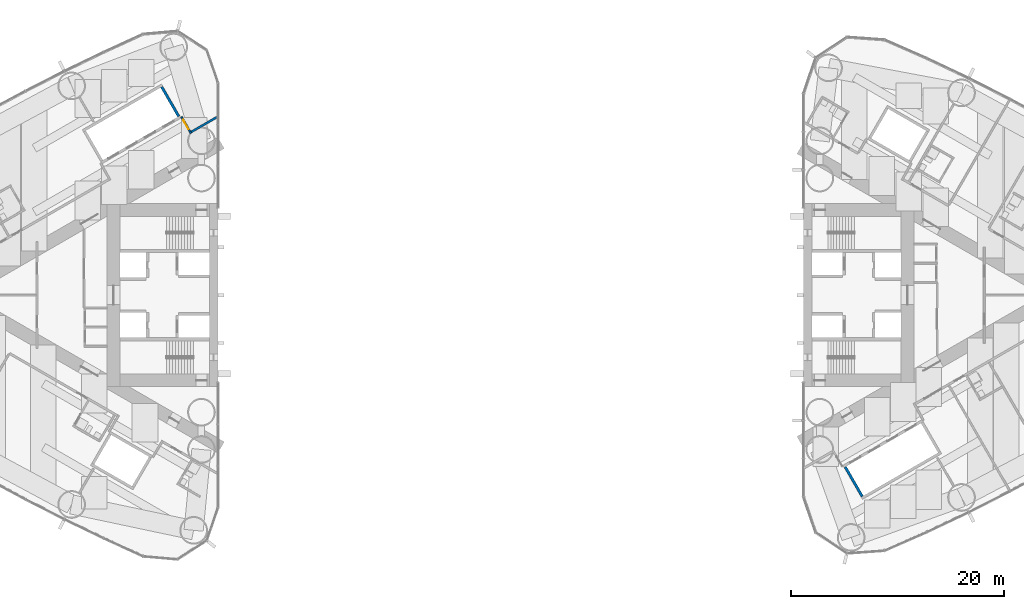
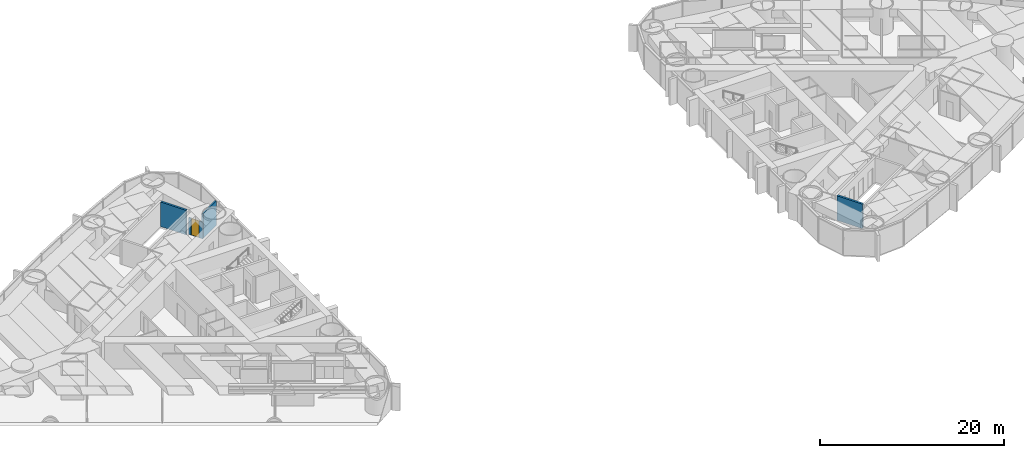
# One storey, part 13 of 19: 4 walls, 1 door, 1 opening.
"""IFC4 building model written with IfcOpenShell, lengths in metres."""

from ifc_helpers import new_model, si_unit, direction, frame, frame_2d, origin, place, context, subcontext, project, spatial, rectangle, extrude, material, layer, layer_set, type_object, element, fill, save


model = new_model("IFC4")

# Units and contexts
model_context = context("Model", 3, precision=1e-05, world=origin(), true_north=direction((0.0, 1.0)))
body_context = subcontext(model_context, "Body", "Model", "MODEL_VIEW")
ifc_project = project(units=[si_unit("LENGTHUNIT", "METRE"), si_unit("AREAUNIT", "SQUARE_METRE"), si_unit("VOLUMEUNIT", "CUBIC_METRE"), si_unit("PLANEANGLEUNIT", "RADIAN"), si_unit("MASSUNIT", "GRAM", prefix="KILO")], contexts=[model_context])

# Site, building, storey
site_placement = place(None, origin())
site = spatial("IfcSite", under=ifc_project, at=site_placement, CompositionType="ELEMENT")
building_placement = place(site_placement, origin())
building = spatial("IfcBuilding", under=site, at=building_placement, Name="Lancet Gate Hotel", CompositionType="ELEMENT")
storey_placement = place(building_placement, frame((0.0, 0.0, 111.60009765625)))
storey = spatial("IfcBuildingStorey", under=building, at=storey_placement, Name="L29", CompositionType="ELEMENT", Elevation=111.60009765625)

# Walls
ifc_material_1 = material(Name="Gypsum board partition")
ifc_layer_1 = layer(ifc_material_1, 0.199951171875)
ifc_layer_set_1 = layer_set([ifc_layer_1], Name="Corridor wall 200")
wall_type_1 = type_object("IfcWallType", Name="Corridor wall 200", PredefinedType="PARTITIONING", material=ifc_layer_set_1)
wall_1_placement = place(storey_placement, frame((-27.572021484375, 16.740966796875, 0.0), z_axis=(0.0, 0.0, 1.0), x_axis=(-0.866034618596, -0.499984039138, 0.0)))
element("IfcWall", 1, at=wall_1_placement, inside=storey, type_object=wall_type_1, Name="T1 corridor wall 200 L29", PredefinedType="PARTITIONING", context=body_context, shape_type="SweptSolid", body=[
    extrude(rectangle(XDim=2.8544921875, YDim=0.199951171875, at=frame_2d((1.42724609375, 0.0))), origin(), (0.0, 0.0, 1.0), 3.25),
])
ifc_material_2 = material(Name="Gypsum board partition")
ifc_layer_2 = layer(ifc_material_2, 0.25)
ifc_layer_set_2 = layer_set([ifc_layer_2], Name="Lift shaft partition 250")
wall_type_2 = type_object("IfcWallType", Name="Lift shaft partition 250", PredefinedType="PARTITIONING", material=ifc_layer_set_2)
for number, where, z_axis, x_axis, name in (
    (2, (-31.18115234375, 16.79296875, 0.0), (0.0, 0.0, 1.0), (-0.499929347863, 0.866066190972, 0.0), "T1 lift shaft wall LR L29"),
    (3, (31.441162109375, -16.14306640625, 0.0), (0.0, 0.0, 1.0), (0.499929347863, -0.866066190972, 0.0), "T2 lift shaft wall LR L29"),
):
    element("IfcWall", number, at=place(storey_placement, frame(where, z_axis=z_axis, x_axis=x_axis)), inside=storey, type_object=wall_type_2, Name=name, PredefinedType="PARTITIONING", context=body_context, shape_type="SweptSolid", body=[
        extrude(rectangle(XDim=3.20068359375, YDim=0.25, at=frame_2d((1.600341796875, 0.0))), origin(), (0.0, 0.0, 1.0), 3.25),
    ])

# Wall, opening, door
ifc_material_3 = material(Name="Gypsum board partition")
ifc_layer_3 = layer(ifc_material_3, 0.14990234375)
ifc_layer_set_3 = layer_set([ifc_layer_3], Name="Service room wall 150")
wall_type_3 = type_object("IfcWallType", Name="Service room wall 150", PredefinedType="PARTITIONING", material=ifc_layer_set_3)
wall_2_placement = place(storey_placement, frame((-30.033203125, 15.20458984375, 0.0), z_axis=(0.0, 0.0, 1.0), x_axis=(-0.499980071345, 0.866036909293, 0.0)))
wall_2 = element("IfcWall", 4, at=wall_2_placement, inside=storey, type_object=wall_type_3, Name="T1 service room wall 150 L29", PredefinedType="PARTITIONING", context=body_context, shape_type="SweptSolid", body=[
    extrude(rectangle(XDim=1.8046875, YDim=0.14990234375, at=frame_2d((0.90234375, 0.0))), origin(), (0.0, 0.0, 1.0), 2.199951171875),
])
opening_placement = place(wall_2_placement, frame((0.451904296875, 0.0, 0.0)))
opening = element("IfcOpeningElement", 5, at=opening_placement, cuts=wall_2, Name="Opening T1-L29-LO1", PredefinedType="OPENING", context=body_context, shape_type="SweptSolid", body=[
    extrude(rectangle(XDim=1.0, YDim=2.199951171875, at=frame_2d((0.5, 1.10009765625))), frame((0.0, 0.0849609375, 0.0), z_axis=(0.0, -1.0, 0.0), x_axis=(1.0, 0.0, 0.0)), (0.0, 0.0, 1.0), 0.169921875),
])
ifc_material_4 = material(Name="Timber door set", Category="wood")
door_type = type_object("IfcDoorType", Name="Service door 1000", OperationType="SINGLE_SWING_LEFT", PredefinedType="DOOR", material=ifc_material_4)
door_placement = place(opening_placement, origin())
door = element("IfcDoor", 6, at=door_placement, inside=storey, type_object=door_type, Name="T1-L29-LO1", OperationType="SINGLE_SWING_LEFT", OverallHeight=2.199951171875, OverallWidth=1.0, PredefinedType="DOOR", context=body_context, shape_type="SweptSolid", body=[
    extrude(rectangle(XDim=1.0, YDim=2.199951171875, at=frame_2d((0.5, 1.10009765625))), frame((0.0, 0.02490234375, 0.0), z_axis=(0.0, -1.0, 0.0), x_axis=(1.0, 0.0, 0.0)), (0.0, 0.0, 1.0), 0.050048828125),
])
fill(opening, door)

save(model, "model.ifc")
